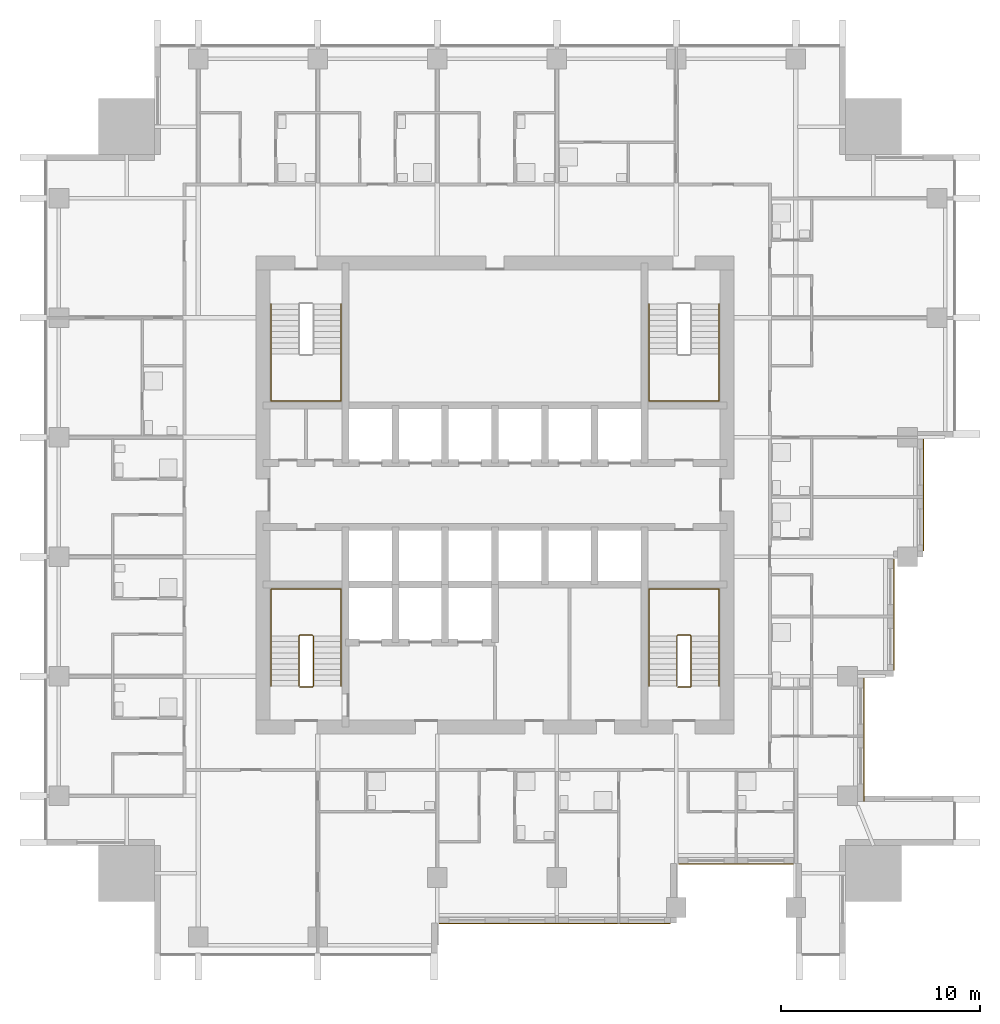
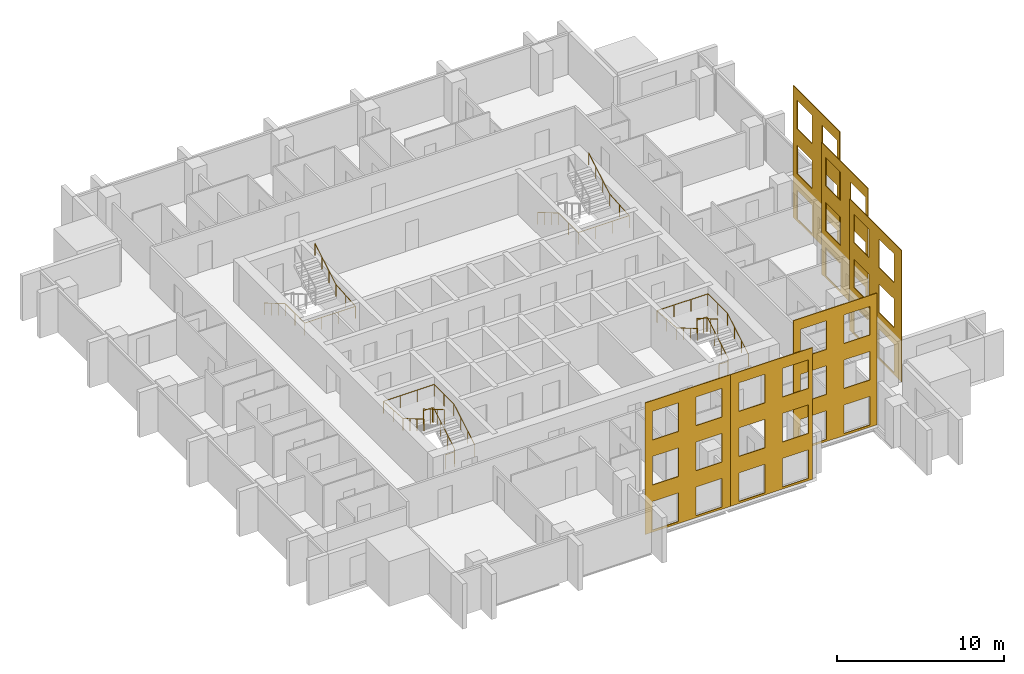
# One storey, part 9 of 11: 6 coverings, 6 railings.
"""IFC4 building model written with IfcOpenShell, lengths in metres."""

from ifc_helpers import new_model, si_unit, direction, frame, origin, origin_2d, place, context, subcontext, project, spatial, polyline, circle, outline, extrude, material, layer, layer_set, type_object, element, save


model = new_model("IFC4")

# Units and contexts
model_context = context("Model", 3, precision=1e-05, world=origin(), true_north=direction((0.0, 1.0)))
body_context = subcontext(model_context, "Body", "Model", "MODEL_VIEW")
ifc_project = project(units=[si_unit("LENGTHUNIT", "METRE"), si_unit("AREAUNIT", "SQUARE_METRE"), si_unit("VOLUMEUNIT", "CUBIC_METRE"), si_unit("PLANEANGLEUNIT", "RADIAN"), si_unit("MASSUNIT", "GRAM", prefix="KILO")], contexts=[model_context])

# Site, building, storey
site_placement = place(None, origin())
site = spatial("IfcSite", under=ifc_project, at=site_placement, CompositionType="ELEMENT")
building_placement = place(site_placement, origin())
building = spatial("IfcBuilding", under=site, at=building_placement, Name="Amberfall Residences", CompositionType="ELEMENT")
storey_placement = place(building_placement, frame((0.0, 0.0, 154.89990234375)))
storey = spatial("IfcBuildingStorey", under=building, at=storey_placement, Name="L41", CompositionType="ELEMENT", Elevation=154.89990234375)

# Coverings
ifc_material_1 = material(Name="Pale limestone cladding", Category="masonry")
ifc_layer = layer(ifc_material_1, 0.050048828125)
ifc_layer_set = layer_set([ifc_layer], Name="Limestone fascia 50")
covering_type = type_object("IfcCoveringType", Name="Limestone fascia 50", PredefinedType="CLADDING", material=ifc_layer_set)
covering_1_placement = place(storey_placement, frame((93.0, 30.10009765625, 9.650146484375), z_axis=(-1.0, 0.0, 0.0), x_axis=(0.0, 1.0, 0.0)))
element("IfcCovering", 1, at=covering_1_placement, inside=storey, type_object=covering_type, Name="Pale limestone cladding L41-L43 E", PredefinedType="CLADDING", context=body_context, shape_type="SweptSolid", body=[
    extrude(outline(polyline([(0.0, 0.0), (6.2099609375, 0.0), (6.2099609375, 9.650146484375), (0.0, 9.650146484375), (0.0, 0.0)]), holes=[polyline([(0.89990234375, 7.400146484375), (2.699951171875, 7.400146484375), (2.699951171875, 9.5), (0.89990234375, 9.5), (0.89990234375, 7.400146484375)]), polyline([(3.89990234375, 7.400146484375), (5.699951171875, 7.400146484375), (5.699951171875, 9.5), (3.89990234375, 9.5), (3.89990234375, 7.400146484375)]), polyline([(0.89990234375, 4.10009765625), (2.699951171875, 4.10009765625), (2.699951171875, 6.199951171875), (0.89990234375, 6.199951171875), (0.89990234375, 4.10009765625)]), polyline([(3.89990234375, 4.10009765625), (5.699951171875, 4.10009765625), (5.699951171875, 6.199951171875), (3.89990234375, 6.199951171875), (3.89990234375, 4.10009765625)]), polyline([(0.89990234375, 0.800048828125), (2.699951171875, 0.800048828125), (2.699951171875, 2.900146484375), (0.89990234375, 2.900146484375), (0.89990234375, 0.800048828125)]), polyline([(3.89990234375, 0.800048828125), (5.699951171875, 0.800048828125), (5.699951171875, 2.900146484375), (3.89990234375, 2.900146484375), (3.89990234375, 0.800048828125)])]), origin(), (0.0, 0.0, -1.0), 0.050048828125),
])
covering_2_placement = place(storey_placement, frame((71.68994140625, 24.0, 9.650146484375), z_axis=(0.0, 1.0, 0.0), x_axis=(1.0, 0.0, 0.0)))
element("IfcCovering", 2, at=covering_2_placement, inside=storey, type_object=covering_type, Name="Pale limestone cladding L41-L43 S", PredefinedType="CLADDING", context=body_context, shape_type="SweptSolid", body=[
    extrude(outline(polyline([(0.0, 0.0), (5.91015625, 0.0), (5.91015625, 9.650146484375), (0.0, 9.650146484375), (0.0, 0.0)]), holes=[polyline([(0.510009765625, 7.400146484375), (2.31005859375, 7.400146484375), (2.31005859375, 9.5), (0.510009765625, 9.5), (0.510009765625, 7.400146484375)]), polyline([(3.510009765625, 7.400146484375), (5.31005859375, 7.400146484375), (5.31005859375, 9.5), (3.510009765625, 9.5), (3.510009765625, 7.400146484375)]), polyline([(0.510009765625, 4.10009765625), (2.31005859375, 4.10009765625), (2.31005859375, 6.199951171875), (0.510009765625, 6.199951171875), (0.510009765625, 4.10009765625)]), polyline([(3.510009765625, 4.10009765625), (5.31005859375, 4.10009765625), (5.31005859375, 6.199951171875), (3.510009765625, 6.199951171875), (3.510009765625, 4.10009765625)]), polyline([(0.510009765625, 0.800048828125), (2.31005859375, 0.800048828125), (2.31005859375, 2.900146484375), (0.510009765625, 2.900146484375), (0.510009765625, 0.800048828125)]), polyline([(3.510009765625, 0.800048828125), (5.31005859375, 0.800048828125), (5.31005859375, 2.900146484375), (3.510009765625, 2.900146484375), (3.510009765625, 0.800048828125)])]), origin(), (0.0, 0.0, -1.0), 0.050048828125),
])
covering_3_placement = place(storey_placement, frame((77.60009765625, 24.0, 9.650146484375), z_axis=(0.0, 1.0, 0.0), x_axis=(1.0, 0.0, 0.0)))
element("IfcCovering", 3, at=covering_3_placement, inside=storey, type_object=covering_type, Name="Pale limestone cladding L41-L43 S", PredefinedType="CLADDING", context=body_context, shape_type="SweptSolid", body=[
    extrude(outline(polyline([(0.0, 0.0), (5.699951171875, 0.0), (5.699951171875, 9.650146484375), (0.0, 9.650146484375), (0.0, 0.0)]), holes=[polyline([(0.599853515625, 7.400146484375), (2.39990234375, 7.400146484375), (2.39990234375, 9.5), (0.599853515625, 9.5), (0.599853515625, 7.400146484375)]), polyline([(3.599853515625, 7.400146484375), (5.39990234375, 7.400146484375), (5.39990234375, 9.5), (3.599853515625, 9.5), (3.599853515625, 7.400146484375)]), polyline([(0.599853515625, 4.10009765625), (2.39990234375, 4.10009765625), (2.39990234375, 6.199951171875), (0.599853515625, 6.199951171875), (0.599853515625, 4.10009765625)]), polyline([(3.599853515625, 4.10009765625), (5.39990234375, 4.10009765625), (5.39990234375, 6.199951171875), (3.599853515625, 6.199951171875), (3.599853515625, 4.10009765625)]), polyline([(0.599853515625, 0.800048828125), (2.39990234375, 0.800048828125), (2.39990234375, 2.900146484375), (0.599853515625, 2.900146484375), (0.599853515625, 0.800048828125)]), polyline([(3.599853515625, 0.800048828125), (5.39990234375, 0.800048828125), (5.39990234375, 2.900146484375), (3.599853515625, 2.900146484375), (3.599853515625, 0.800048828125)])]), origin(), (0.0, 0.0, -1.0), 0.050048828125),
])
covering_4_placement = place(storey_placement, frame((83.699951171875, 27.0, 9.650146484375), z_axis=(0.0, 1.0, 0.0), x_axis=(1.0, 0.0, 0.0)))
element("IfcCovering", 4, at=covering_4_placement, inside=storey, type_object=covering_type, Name="Pale limestone cladding L41-L43 S", PredefinedType="CLADDING", context=body_context, shape_type="SweptSolid", body=[
    extrude(outline(polyline([(0.0, 0.0), (5.7900390625, 0.0), (5.7900390625, 9.650146484375), (0.0, 9.650146484375), (0.0, 0.0)]), holes=[polyline([(0.5, 7.400146484375), (2.300048828125, 7.400146484375), (2.300048828125, 9.5), (0.5, 9.5), (0.5, 7.400146484375)]), polyline([(3.5, 7.400146484375), (5.300048828125, 7.400146484375), (5.300048828125, 9.5), (3.5, 9.5), (3.5, 7.400146484375)]), polyline([(0.5, 4.10009765625), (2.300048828125, 4.10009765625), (2.300048828125, 6.199951171875), (0.5, 6.199951171875), (0.5, 4.10009765625)]), polyline([(3.5, 4.10009765625), (5.300048828125, 4.10009765625), (5.300048828125, 6.199951171875), (3.5, 6.199951171875), (3.5, 4.10009765625)]), polyline([(0.5, 0.800048828125), (2.300048828125, 0.800048828125), (2.300048828125, 2.900146484375), (0.5, 2.900146484375), (0.5, 0.800048828125)]), polyline([(3.5, 0.800048828125), (5.300048828125, 0.800048828125), (5.300048828125, 2.900146484375), (3.5, 2.900146484375), (3.5, 0.800048828125)])]), origin(), (0.0, 0.0, -1.0), 0.050048828125),
])
covering_5_placement = place(storey_placement, frame((94.5, 36.699951171875, 9.650146484375), z_axis=(-1.0, 0.0, 0.0), x_axis=(0.0, 1.0, 0.0)))
element("IfcCovering", 5, at=covering_5_placement, inside=storey, type_object=covering_type, Name="Pale limestone cladding L41-L43 E", PredefinedType="CLADDING", context=body_context, shape_type="SweptSolid", body=[
    extrude(outline(polyline([(0.0, 0.0), (5.60009765625, 0.0), (5.60009765625, 9.650146484375), (0.0, 9.650146484375), (0.0, 0.0)]), holes=[polyline([(0.300048828125, 7.400146484375), (2.10009765625, 7.400146484375), (2.10009765625, 9.5), (0.300048828125, 9.5), (0.300048828125, 7.400146484375)]), polyline([(3.300048828125, 7.400146484375), (5.10009765625, 7.400146484375), (5.10009765625, 9.5), (3.300048828125, 9.5), (3.300048828125, 7.400146484375)]), polyline([(0.300048828125, 4.10009765625), (2.10009765625, 4.10009765625), (2.10009765625, 6.199951171875), (0.300048828125, 6.199951171875), (0.300048828125, 4.10009765625)]), polyline([(3.300048828125, 4.10009765625), (5.10009765625, 4.10009765625), (5.10009765625, 6.199951171875), (3.300048828125, 6.199951171875), (3.300048828125, 4.10009765625)]), polyline([(0.300048828125, 0.800048828125), (2.10009765625, 0.800048828125), (2.10009765625, 2.900146484375), (0.300048828125, 2.900146484375), (0.300048828125, 0.800048828125)]), polyline([(3.300048828125, 0.800048828125), (5.10009765625, 0.800048828125), (5.10009765625, 2.900146484375), (3.300048828125, 2.900146484375), (3.300048828125, 0.800048828125)])]), origin(), (0.0, 0.0, -1.0), 0.050048828125),
])
covering_6_placement = place(storey_placement, frame((96.0, 42.699951171875, 9.650146484375), z_axis=(-1.0, 0.0, 0.0), x_axis=(0.0, 1.0, 0.0)))
element("IfcCovering", 6, at=covering_6_placement, inside=storey, type_object=covering_type, Name="Pale limestone cladding L41-L43 E", PredefinedType="CLADDING", context=body_context, shape_type="SweptSolid", body=[
    extrude(outline(polyline([(0.0, 0.0), (5.610107421875, 0.0), (5.610107421875, 9.650146484375), (0.0, 9.650146484375), (0.0, 0.0)]), holes=[polyline([(0.300048828125, 7.400146484375), (2.10009765625, 7.400146484375), (2.10009765625, 9.5), (0.300048828125, 9.5), (0.300048828125, 7.400146484375)]), polyline([(3.300048828125, 7.400146484375), (5.10009765625, 7.400146484375), (5.10009765625, 9.5), (3.300048828125, 9.5), (3.300048828125, 7.400146484375)]), polyline([(0.300048828125, 4.10009765625), (2.10009765625, 4.10009765625), (2.10009765625, 6.199951171875), (0.300048828125, 6.199951171875), (0.300048828125, 4.10009765625)]), polyline([(3.300048828125, 4.10009765625), (5.10009765625, 4.10009765625), (5.10009765625, 6.199951171875), (3.300048828125, 6.199951171875), (3.300048828125, 4.10009765625)]), polyline([(0.300048828125, 0.800048828125), (2.10009765625, 0.800048828125), (2.10009765625, 2.900146484375), (0.300048828125, 2.900146484375), (0.300048828125, 0.800048828125)]), polyline([(3.300048828125, 0.800048828125), (5.10009765625, 0.800048828125), (5.10009765625, 2.900146484375), (3.300048828125, 2.900146484375), (3.300048828125, 0.800048828125)])]), origin(), (0.0, 0.0, -1.0), 0.050048828125),
])

# Railings
ifc_material_2 = material(Name="Stainless steel 316", Category="steel")
railing_type_1 = type_object("IfcRailingType", Name="Stair guard 1100", PredefinedType="GUARDRAIL", material=ifc_material_2)
railing_1_placement = place(storey_placement, frame((64.699951171875, 35.85009765625, 0.0)))
element("IfcRailing", 7, at=railing_1_placement, inside=storey, type_object=railing_type_1, Name="L41 stair 1 guard", PredefinedType="GUARDRAIL", context=body_context, shape_type="SweptSolid", body=[
    extrude(circle(Radius=0.02392578125, at=origin_2d()), frame((0.0, 0.0, 1.076171875), z_axis=(1.0, 0.0, 0.0), x_axis=(0.0, 1.0, 0.0)), (0.0, 0.0, 1.0), 0.625),
    extrude(circle(Radius=0.02392578125, at=origin_2d()), frame((0.625, 0.0, 1.076171875), z_axis=(0.278810427259, 0.277450376394, 0.919394384522), x_axis=(-0.705375805398, 0.708833529934, 0.0)), (0.0, 0.0, 1.0), 0.179443359375),
    extrude(circle(Radius=0.02392578125, at=origin_2d()), frame((0.675048828125, 0.0498046875, 1.2412109375), z_axis=(0.0, 0.86152411907, 0.507716645641), x_axis=(-1.0, 0.0, 0.0)), (0.0, 0.0, 1.0), 2.925048828125),
    extrude(circle(Radius=0.02392578125, at=origin_2d()), frame((0.675048828125, 2.56982421875, 2.72607421875), z_axis=(-0.707106781187, 0.707106781187, 0.0), x_axis=(-0.707106781187, -0.707106781187, 0.0)), (0.0, 0.0, 1.0), 0.07080078125),
    extrude(circle(Radius=0.02392578125, at=origin_2d()), frame((0.625, 2.619873046875, 2.72607421875), z_axis=(-1.0, 0.0, 0.0), x_axis=(0.0, -1.0, 0.0)), (0.0, 0.0, 1.0), 0.625),
    extrude(circle(Radius=0.02392578125, at=origin_2d()), frame((0.0, 2.619873046875, 2.72607421875), z_axis=(-0.278705021027, -0.278705021027, 0.919046801044), x_axis=(0.707106781187, -0.707106781187, 0.0)), (0.0, 0.0, 1.0), 0.1796875),
    extrude(circle(Radius=0.02392578125, at=origin_2d()), frame((-0.050048828125, 2.56982421875, 2.89111328125), z_axis=(0.0, -0.861560626758, 0.507654692109), x_axis=(1.0, 0.0, 0.0)), (0.0, 0.0, 1.0), 2.925048828125),
    extrude(circle(Radius=0.02099609375, at=origin_2d()), origin(), (0.0, 0.0, 1.0), 1.052001953125),
    extrude(circle(Radius=0.02099609375, at=origin_2d()), frame((0.625, 0.0, 0.0)), (0.0, 0.0, 1.0), 1.052001953125),
    extrude(circle(Radius=0.02099609375, at=origin_2d()), frame((0.675048828125, 0.0498046875, 0.1650390625)), (0.0, 0.0, 1.0), 1.052001953125),
    extrude(circle(Radius=0.02099609375, at=origin_2d()), frame((0.675048828125, 0.889892578125, 0.66015625)), (0.0, 0.0, 1.0), 1.052001953125),
    extrude(circle(Radius=0.02099609375, at=origin_2d()), frame((0.675048828125, 1.729736328125, 1.155029296875)), (0.0, 0.0, 1.0), 1.052001953125),
    extrude(circle(Radius=0.02099609375, at=origin_2d()), frame((0.675048828125, 2.56982421875, 1.650146484375)), (0.0, 0.0, 1.0), 1.052001953125),
    extrude(circle(Radius=0.02099609375, at=origin_2d()), frame((0.625, 2.619873046875, 1.650146484375)), (0.0, 0.0, 1.0), 1.052001953125),
    extrude(circle(Radius=0.02099609375, at=origin_2d()), frame((0.0, 2.619873046875, 1.650146484375)), (0.0, 0.0, 1.0), 1.052001953125),
    extrude(circle(Radius=0.02099609375, at=origin_2d()), frame((-0.050048828125, 2.56982421875, 1.815185546875)), (0.0, 0.0, 1.0), 1.052001953125),
    extrude(circle(Radius=0.02099609375, at=origin_2d()), frame((-0.050048828125, 1.729736328125, 2.31005859375)), (0.0, 0.0, 1.0), 1.052001953125),
    extrude(circle(Radius=0.02099609375, at=origin_2d()), frame((-0.050048828125, 0.889892578125, 2.80517578125)), (0.0, 0.0, 1.0), 1.052001953125),
    extrude(circle(Radius=0.02099609375, at=origin_2d()), frame((-0.050048828125, 0.0498046875, 3.300048828125)), (0.0, 0.0, 1.0), 1.052001953125),
])
railing_2_placement = place(storey_placement, frame((83.675048828125, 35.85009765625, 0.0)))
element("IfcRailing", 8, at=railing_2_placement, inside=storey, type_object=railing_type_1, Name="L41 stair 2 guard", PredefinedType="GUARDRAIL", context=body_context, shape_type="SweptSolid", body=[
    extrude(circle(Radius=0.02392578125, at=origin_2d()), frame((0.0, 0.0, 1.076171875), z_axis=(1.0, 0.0, 0.0), x_axis=(0.0, 1.0, 0.0)), (0.0, 0.0, 1.0), 0.625),
    extrude(circle(Radius=0.02392578125, at=origin_2d()), frame((0.625, 0.0, 1.076171875), z_axis=(0.278810427259, 0.277450376394, 0.919394384522), x_axis=(-0.705375805398, 0.708833529934, 0.0)), (0.0, 0.0, 1.0), 0.179443359375),
    extrude(circle(Radius=0.02392578125, at=origin_2d()), frame((0.675048828125, 0.0498046875, 1.2412109375), z_axis=(0.0, 0.86152411907, 0.507716645641), x_axis=(-1.0, 0.0, 0.0)), (0.0, 0.0, 1.0), 2.925048828125),
    extrude(circle(Radius=0.02392578125, at=origin_2d()), frame((0.675048828125, 2.56982421875, 2.72607421875), z_axis=(-0.707106781187, 0.707106781187, 0.0), x_axis=(-0.707106781187, -0.707106781187, 0.0)), (0.0, 0.0, 1.0), 0.07080078125),
    extrude(circle(Radius=0.02392578125, at=origin_2d()), frame((0.625, 2.619873046875, 2.72607421875), z_axis=(-1.0, 0.0, 0.0), x_axis=(0.0, -1.0, 0.0)), (0.0, 0.0, 1.0), 0.625),
    extrude(circle(Radius=0.02392578125, at=origin_2d()), frame((0.0, 2.619873046875, 2.72607421875), z_axis=(-0.278705021027, -0.278705021027, 0.919046801044), x_axis=(0.707106781187, -0.707106781187, 0.0)), (0.0, 0.0, 1.0), 0.1796875),
    extrude(circle(Radius=0.02392578125, at=origin_2d()), frame((-0.050048828125, 2.56982421875, 2.89111328125), z_axis=(0.0, -0.861560626758, 0.507654692109), x_axis=(1.0, 0.0, 0.0)), (0.0, 0.0, 1.0), 2.925048828125),
    extrude(circle(Radius=0.02099609375, at=origin_2d()), origin(), (0.0, 0.0, 1.0), 1.052001953125),
    extrude(circle(Radius=0.02099609375, at=origin_2d()), frame((0.625, 0.0, 0.0)), (0.0, 0.0, 1.0), 1.052001953125),
    extrude(circle(Radius=0.02099609375, at=origin_2d()), frame((0.675048828125, 0.0498046875, 0.1650390625)), (0.0, 0.0, 1.0), 1.052001953125),
    extrude(circle(Radius=0.02099609375, at=origin_2d()), frame((0.675048828125, 0.889892578125, 0.66015625)), (0.0, 0.0, 1.0), 1.052001953125),
    extrude(circle(Radius=0.02099609375, at=origin_2d()), frame((0.675048828125, 1.729736328125, 1.155029296875)), (0.0, 0.0, 1.0), 1.052001953125),
    extrude(circle(Radius=0.02099609375, at=origin_2d()), frame((0.675048828125, 2.56982421875, 1.650146484375)), (0.0, 0.0, 1.0), 1.052001953125),
    extrude(circle(Radius=0.02099609375, at=origin_2d()), frame((0.625, 2.619873046875, 1.650146484375)), (0.0, 0.0, 1.0), 1.052001953125),
    extrude(circle(Radius=0.02099609375, at=origin_2d()), frame((0.0, 2.619873046875, 1.650146484375)), (0.0, 0.0, 1.0), 1.052001953125),
    extrude(circle(Radius=0.02099609375, at=origin_2d()), frame((-0.050048828125, 2.56982421875, 1.815185546875)), (0.0, 0.0, 1.0), 1.052001953125),
    extrude(circle(Radius=0.02099609375, at=origin_2d()), frame((-0.050048828125, 1.729736328125, 2.31005859375)), (0.0, 0.0, 1.0), 1.052001953125),
    extrude(circle(Radius=0.02099609375, at=origin_2d()), frame((-0.050048828125, 0.889892578125, 2.80517578125)), (0.0, 0.0, 1.0), 1.052001953125),
    extrude(circle(Radius=0.02099609375, at=origin_2d()), frame((-0.050048828125, 0.0498046875, 3.300048828125)), (0.0, 0.0, 1.0), 1.052001953125),
])
railing_type_2 = type_object("IfcRailingType", Name="Stair handrail 900", PredefinedType="HANDRAIL", material=ifc_material_2)
railing_3_placement = place(storey_placement, frame((66.77490234375, 35.89990234375, 0.1650390625)))
element("IfcRailing", 9, at=railing_3_placement, inside=storey, type_object=railing_type_2, Name="L41 stair 1 handrail", PredefinedType="HANDRAIL", context=body_context, shape_type="SweptSolid", body=[
    extrude(circle(Radius=0.02392578125, at=origin_2d()), frame((0.0, 0.0, 0.8759765625), z_axis=(0.0, 0.86152411907, 0.507716645641), x_axis=(-1.0, 0.0, 0.0)), (0.0, 0.0, 1.0), 2.925048828125),
    extrude(circle(Radius=0.02392578125, at=origin_2d()), frame((0.0, 2.52001953125, 2.36083984375), z_axis=(0.0, 1.0, 0.0), x_axis=(-1.0, 0.0, 0.0)), (0.0, 0.0, 1.0), 2.35498046875),
    extrude(circle(Radius=0.02392578125, at=origin_2d()), frame((0.0, 4.875, 2.36083984375), z_axis=(-1.0, 0.0, 0.0), x_axis=(0.0, -1.0, 0.0)), (0.0, 0.0, 1.0), 3.52490234375),
    extrude(circle(Radius=0.02392578125, at=origin_2d()), frame((-3.52490234375, 4.875, 2.36083984375), z_axis=(0.0, -0.997553344917, 0.069909398835), x_axis=(1.0, 0.0, 0.0)), (0.0, 0.0, 1.0), 2.36083984375),
    extrude(circle(Radius=0.02392578125, at=origin_2d()), frame((-3.52490234375, 2.52001953125, 2.52587890625), z_axis=(0.0, -0.861560626758, 0.507654692109), x_axis=(1.0, 0.0, 0.0)), (0.0, 0.0, 1.0), 2.925048828125),
    extrude(circle(Radius=0.02099609375, at=origin_2d()), origin(), (0.0, 0.0, 1.0), 0.851806640625),
    extrude(circle(Radius=0.02099609375, at=origin_2d()), frame((0.0, 0.840087890625, 0.4951171875)), (0.0, 0.0, 1.0), 0.851806640625),
    extrude(circle(Radius=0.02099609375, at=origin_2d()), frame((0.0, 1.679931640625, 0.989990234375)), (0.0, 0.0, 1.0), 0.851806640625),
    extrude(circle(Radius=0.02099609375, at=origin_2d()), frame((0.0, 2.52001953125, 1.485107421875)), (0.0, 0.0, 1.0), 0.851806640625),
    extrude(circle(Radius=0.02099609375, at=origin_2d()), frame((0.0, 3.697509765625, 1.485107421875)), (0.0, 0.0, 1.0), 0.851806640625),
    extrude(circle(Radius=0.02099609375, at=origin_2d()), frame((0.0, 4.875, 1.485107421875)), (0.0, 0.0, 1.0), 0.851806640625),
    extrude(circle(Radius=0.02099609375, at=origin_2d()), frame((-1.175048828125, 4.875, 1.485107421875)), (0.0, 0.0, 1.0), 0.851806640625),
    extrude(circle(Radius=0.02099609375, at=origin_2d()), frame((-2.349853515625, 4.875, 1.485107421875)), (0.0, 0.0, 1.0), 0.851806640625),
    extrude(circle(Radius=0.02099609375, at=origin_2d()), frame((-3.52490234375, 4.875, 1.485107421875)), (0.0, 0.0, 1.0), 0.851806640625),
    extrude(circle(Radius=0.02099609375, at=origin_2d()), frame((-3.52490234375, 3.697509765625, 1.567626953125)), (0.0, 0.0, 1.0), 0.851806640625),
    extrude(circle(Radius=0.02099609375, at=origin_2d()), frame((-3.52490234375, 2.52001953125, 1.650146484375)), (0.0, 0.0, 1.0), 0.851806640625),
    extrude(circle(Radius=0.02099609375, at=origin_2d()), frame((-3.52490234375, 1.679931640625, 2.14501953125)), (0.0, 0.0, 1.0), 0.851806640625),
    extrude(circle(Radius=0.02099609375, at=origin_2d()), frame((-3.52490234375, 0.840087890625, 2.64013671875)), (0.0, 0.0, 1.0), 0.851806640625),
    extrude(circle(Radius=0.02099609375, at=origin_2d()), frame((-3.52490234375, 0.0, 3.135009765625)), (0.0, 0.0, 1.0), 0.851806640625),
])
railing_4_placement = place(storey_placement, frame((85.75, 35.89990234375, 0.1650390625)))
element("IfcRailing", 10, at=railing_4_placement, inside=storey, type_object=railing_type_2, Name="L41 stair 2 handrail", PredefinedType="HANDRAIL", context=body_context, shape_type="SweptSolid", body=[
    extrude(circle(Radius=0.02392578125, at=origin_2d()), frame((0.0, 0.0, 0.8759765625), z_axis=(0.0, 0.86152411907, 0.507716645641), x_axis=(-1.0, 0.0, 0.0)), (0.0, 0.0, 1.0), 2.925048828125),
    extrude(circle(Radius=0.02392578125, at=origin_2d()), frame((0.0, 2.52001953125, 2.36083984375), z_axis=(0.0, 1.0, 0.0), x_axis=(-1.0, 0.0, 0.0)), (0.0, 0.0, 1.0), 2.35498046875),
    extrude(circle(Radius=0.02392578125, at=origin_2d()), frame((0.0, 4.875, 2.36083984375), z_axis=(-1.0, 0.0, 0.0), x_axis=(0.0, -1.0, 0.0)), (0.0, 0.0, 1.0), 3.52490234375),
    extrude(circle(Radius=0.02392578125, at=origin_2d()), frame((-3.52490234375, 4.875, 2.36083984375), z_axis=(0.0, -0.997553344917, 0.069909398835), x_axis=(1.0, 0.0, 0.0)), (0.0, 0.0, 1.0), 2.36083984375),
    extrude(circle(Radius=0.02392578125, at=origin_2d()), frame((-3.52490234375, 2.52001953125, 2.52587890625), z_axis=(0.0, -0.861560626758, 0.507654692109), x_axis=(1.0, 0.0, 0.0)), (0.0, 0.0, 1.0), 2.925048828125),
    extrude(circle(Radius=0.02099609375, at=origin_2d()), origin(), (0.0, 0.0, 1.0), 0.851806640625),
    extrude(circle(Radius=0.02099609375, at=origin_2d()), frame((0.0, 0.840087890625, 0.4951171875)), (0.0, 0.0, 1.0), 0.851806640625),
    extrude(circle(Radius=0.02099609375, at=origin_2d()), frame((0.0, 1.679931640625, 0.989990234375)), (0.0, 0.0, 1.0), 0.851806640625),
    extrude(circle(Radius=0.02099609375, at=origin_2d()), frame((0.0, 2.52001953125, 1.485107421875)), (0.0, 0.0, 1.0), 0.851806640625),
    extrude(circle(Radius=0.02099609375, at=origin_2d()), frame((0.0, 3.697509765625, 1.485107421875)), (0.0, 0.0, 1.0), 0.851806640625),
    extrude(circle(Radius=0.02099609375, at=origin_2d()), frame((0.0, 4.875, 1.485107421875)), (0.0, 0.0, 1.0), 0.851806640625),
    extrude(circle(Radius=0.02099609375, at=origin_2d()), frame((-1.175048828125, 4.875, 1.485107421875)), (0.0, 0.0, 1.0), 0.851806640625),
    extrude(circle(Radius=0.02099609375, at=origin_2d()), frame((-2.349853515625, 4.875, 1.485107421875)), (0.0, 0.0, 1.0), 0.851806640625),
    extrude(circle(Radius=0.02099609375, at=origin_2d()), frame((-3.52490234375, 4.875, 1.485107421875)), (0.0, 0.0, 1.0), 0.851806640625),
    extrude(circle(Radius=0.02099609375, at=origin_2d()), frame((-3.52490234375, 3.697509765625, 1.567626953125)), (0.0, 0.0, 1.0), 0.851806640625),
    extrude(circle(Radius=0.02099609375, at=origin_2d()), frame((-3.52490234375, 2.52001953125, 1.650146484375)), (0.0, 0.0, 1.0), 0.851806640625),
    extrude(circle(Radius=0.02099609375, at=origin_2d()), frame((-3.52490234375, 1.679931640625, 2.14501953125)), (0.0, 0.0, 1.0), 0.851806640625),
    extrude(circle(Radius=0.02099609375, at=origin_2d()), frame((-3.52490234375, 0.840087890625, 2.64013671875)), (0.0, 0.0, 1.0), 0.851806640625),
    extrude(circle(Radius=0.02099609375, at=origin_2d()), frame((-3.52490234375, 0.0, 3.135009765625)), (0.0, 0.0, 1.0), 0.851806640625),
])
railing_5_placement = place(storey_placement, frame((82.22509765625, 55.10009765625, 0.1650390625)))
element("IfcRailing", 11, at=railing_5_placement, inside=storey, type_object=railing_type_2, Name="L41 stair 3 handrail", PredefinedType="HANDRAIL", context=body_context, shape_type="SweptSolid", body=[
    extrude(circle(Radius=0.02392578125, at=origin_2d()), frame((0.0, 0.0, 0.8759765625), z_axis=(0.0, -0.86152411907, 0.507716645641), x_axis=(1.0, 0.0, 0.0)), (0.0, 0.0, 1.0), 2.925048828125),
    extrude(circle(Radius=0.02392578125, at=origin_2d()), frame((0.0, -2.52001953125, 2.36083984375), z_axis=(0.0, -1.0, 0.0), x_axis=(1.0, 0.0, 0.0)), (0.0, 0.0, 1.0), 2.35498046875),
    extrude(circle(Radius=0.02392578125, at=origin_2d()), frame((0.0, -4.875, 2.36083984375), z_axis=(1.0, 0.0, 0.0), x_axis=(0.0, 1.0, 0.0)), (0.0, 0.0, 1.0), 3.52490234375),
    extrude(circle(Radius=0.02392578125, at=origin_2d()), frame((3.52490234375, -4.875, 2.36083984375), z_axis=(0.0, 0.997553344917, 0.069909398835), x_axis=(-1.0, 0.0, 0.0)), (0.0, 0.0, 1.0), 2.36083984375),
    extrude(circle(Radius=0.02392578125, at=origin_2d()), frame((3.52490234375, -2.52001953125, 2.52587890625), z_axis=(0.0, 0.861560626758, 0.507654692109), x_axis=(-1.0, 0.0, 0.0)), (0.0, 0.0, 1.0), 2.925048828125),
    extrude(circle(Radius=0.02099609375, at=origin_2d()), origin(), (0.0, 0.0, 1.0), 0.851806640625),
    extrude(circle(Radius=0.02099609375, at=origin_2d()), frame((0.0, -0.840087890625, 0.4951171875)), (0.0, 0.0, 1.0), 0.851806640625),
    extrude(circle(Radius=0.02099609375, at=origin_2d()), frame((0.0, -1.679931640625, 0.989990234375)), (0.0, 0.0, 1.0), 0.851806640625),
    extrude(circle(Radius=0.02099609375, at=origin_2d()), frame((0.0, -2.52001953125, 1.485107421875)), (0.0, 0.0, 1.0), 0.851806640625),
    extrude(circle(Radius=0.02099609375, at=origin_2d()), frame((0.0, -3.697509765625, 1.485107421875)), (0.0, 0.0, 1.0), 0.851806640625),
    extrude(circle(Radius=0.02099609375, at=origin_2d()), frame((0.0, -4.875, 1.485107421875)), (0.0, 0.0, 1.0), 0.851806640625),
    extrude(circle(Radius=0.02099609375, at=origin_2d()), frame((1.175048828125, -4.875, 1.485107421875)), (0.0, 0.0, 1.0), 0.851806640625),
    extrude(circle(Radius=0.02099609375, at=origin_2d()), frame((2.349853515625, -4.875, 1.485107421875)), (0.0, 0.0, 1.0), 0.851806640625),
    extrude(circle(Radius=0.02099609375, at=origin_2d()), frame((3.52490234375, -4.875, 1.485107421875)), (0.0, 0.0, 1.0), 0.851806640625),
    extrude(circle(Radius=0.02099609375, at=origin_2d()), frame((3.52490234375, -3.697509765625, 1.567626953125)), (0.0, 0.0, 1.0), 0.851806640625),
    extrude(circle(Radius=0.02099609375, at=origin_2d()), frame((3.52490234375, -2.52001953125, 1.650146484375)), (0.0, 0.0, 1.0), 0.851806640625),
    extrude(circle(Radius=0.02099609375, at=origin_2d()), frame((3.52490234375, -1.679931640625, 2.14501953125)), (0.0, 0.0, 1.0), 0.851806640625),
    extrude(circle(Radius=0.02099609375, at=origin_2d()), frame((3.52490234375, -0.840087890625, 2.64013671875)), (0.0, 0.0, 1.0), 0.851806640625),
    extrude(circle(Radius=0.02099609375, at=origin_2d()), frame((3.52490234375, 0.0, 3.135009765625)), (0.0, 0.0, 1.0), 0.851806640625),
])
railing_6_placement = place(storey_placement, frame((63.25, 55.10009765625, 0.1650390625)))
element("IfcRailing", 12, at=railing_6_placement, inside=storey, type_object=railing_type_2, Name="L41 stair 4 handrail", PredefinedType="HANDRAIL", context=body_context, shape_type="SweptSolid", body=[
    extrude(circle(Radius=0.02392578125, at=origin_2d()), frame((0.0, 0.0, 0.8759765625), z_axis=(0.0, -0.86152411907, 0.507716645641), x_axis=(1.0, 0.0, 0.0)), (0.0, 0.0, 1.0), 2.925048828125),
    extrude(circle(Radius=0.02392578125, at=origin_2d()), frame((0.0, -2.52001953125, 2.36083984375), z_axis=(0.0, -1.0, 0.0), x_axis=(1.0, 0.0, 0.0)), (0.0, 0.0, 1.0), 2.35498046875),
    extrude(circle(Radius=0.02392578125, at=origin_2d()), frame((0.0, -4.875, 2.36083984375), z_axis=(1.0, 0.0, 0.0), x_axis=(0.0, 1.0, 0.0)), (0.0, 0.0, 1.0), 3.52490234375),
    extrude(circle(Radius=0.02392578125, at=origin_2d()), frame((3.52490234375, -4.875, 2.36083984375), z_axis=(0.0, 0.997553344917, 0.069909398835), x_axis=(-1.0, 0.0, 0.0)), (0.0, 0.0, 1.0), 2.36083984375),
    extrude(circle(Radius=0.02392578125, at=origin_2d()), frame((3.52490234375, -2.52001953125, 2.52587890625), z_axis=(0.0, 0.861560626758, 0.507654692109), x_axis=(-1.0, 0.0, 0.0)), (0.0, 0.0, 1.0), 2.925048828125),
    extrude(circle(Radius=0.02099609375, at=origin_2d()), origin(), (0.0, 0.0, 1.0), 0.851806640625),
    extrude(circle(Radius=0.02099609375, at=origin_2d()), frame((0.0, -0.840087890625, 0.4951171875)), (0.0, 0.0, 1.0), 0.851806640625),
    extrude(circle(Radius=0.02099609375, at=origin_2d()), frame((0.0, -1.679931640625, 0.989990234375)), (0.0, 0.0, 1.0), 0.851806640625),
    extrude(circle(Radius=0.02099609375, at=origin_2d()), frame((0.0, -2.52001953125, 1.485107421875)), (0.0, 0.0, 1.0), 0.851806640625),
    extrude(circle(Radius=0.02099609375, at=origin_2d()), frame((0.0, -3.697509765625, 1.485107421875)), (0.0, 0.0, 1.0), 0.851806640625),
    extrude(circle(Radius=0.02099609375, at=origin_2d()), frame((0.0, -4.875, 1.485107421875)), (0.0, 0.0, 1.0), 0.851806640625),
    extrude(circle(Radius=0.02099609375, at=origin_2d()), frame((1.175048828125, -4.875, 1.485107421875)), (0.0, 0.0, 1.0), 0.851806640625),
    extrude(circle(Radius=0.02099609375, at=origin_2d()), frame((2.349853515625, -4.875, 1.485107421875)), (0.0, 0.0, 1.0), 0.851806640625),
    extrude(circle(Radius=0.02099609375, at=origin_2d()), frame((3.52490234375, -4.875, 1.485107421875)), (0.0, 0.0, 1.0), 0.851806640625),
    extrude(circle(Radius=0.02099609375, at=origin_2d()), frame((3.52490234375, -3.697509765625, 1.567626953125)), (0.0, 0.0, 1.0), 0.851806640625),
    extrude(circle(Radius=0.02099609375, at=origin_2d()), frame((3.52490234375, -2.52001953125, 1.650146484375)), (0.0, 0.0, 1.0), 0.851806640625),
    extrude(circle(Radius=0.02099609375, at=origin_2d()), frame((3.52490234375, -1.679931640625, 2.14501953125)), (0.0, 0.0, 1.0), 0.851806640625),
    extrude(circle(Radius=0.02099609375, at=origin_2d()), frame((3.52490234375, -0.840087890625, 2.64013671875)), (0.0, 0.0, 1.0), 0.851806640625),
    extrude(circle(Radius=0.02099609375, at=origin_2d()), frame((3.52490234375, 0.0, 3.135009765625)), (0.0, 0.0, 1.0), 0.851806640625),
])

save(model, "model.ifc")
